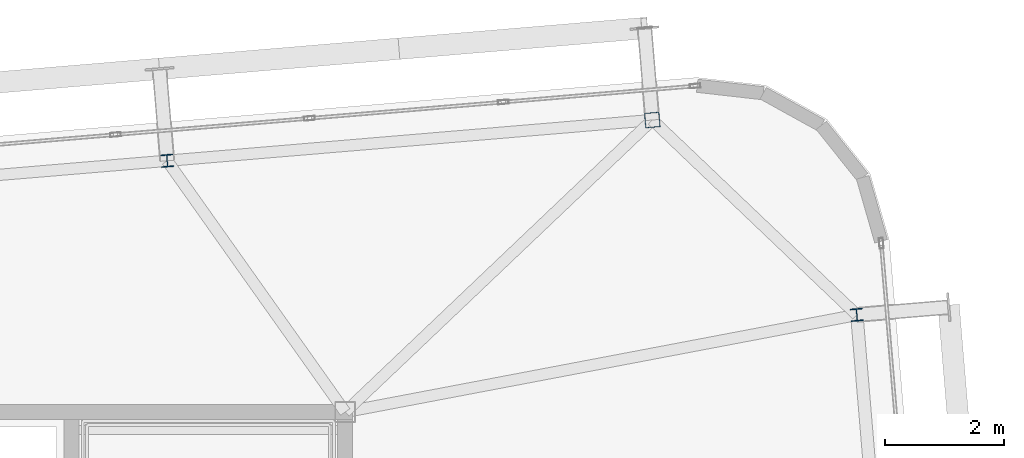
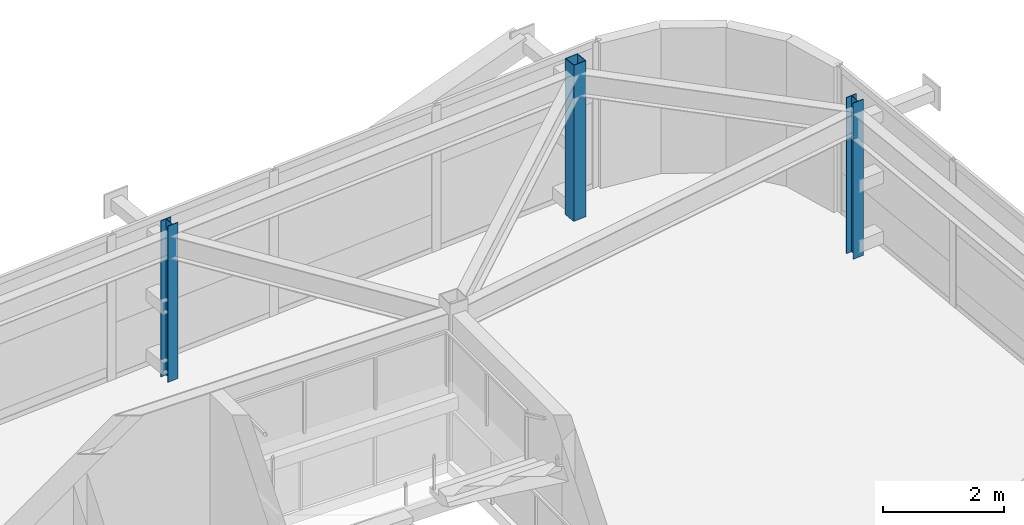
# One storey, part 6 of 44: 3 columns.
"""IFC4 building model written with IfcOpenShell, lengths in metres."""

from ifc_helpers import new_model, si_unit, direction, frame, origin, origin_2d, place, context, subcontext, project, spatial, hollow_rectangle, i_section, extrude, source, transform, mapped, material, material_profile, profile_set, type_object, element, save


model = new_model("IFC4")

# Units and contexts
model_context = context("Model", 3, precision=1e-05, world=origin(), true_north=direction((0.0, 1.0)))
body_context = subcontext(model_context, "Body", "Model", "MODEL_VIEW")
ifc_project = project(units=[si_unit("LENGTHUNIT", "METRE"), si_unit("AREAUNIT", "SQUARE_METRE"), si_unit("VOLUMEUNIT", "CUBIC_METRE"), si_unit("PLANEANGLEUNIT", "RADIAN"), si_unit("MASSUNIT", "GRAM", prefix="KILO")], contexts=[model_context])

# Site, building, storey
site_placement = place(None, origin())
site = spatial("IfcSite", under=ifc_project, at=site_placement, CompositionType="ELEMENT")
building_placement = place(site_placement, origin())
building = spatial("IfcBuilding", under=site, at=building_placement, Name="Taldren Reach Tower", CompositionType="ELEMENT")
storey_placement = place(building_placement, frame((0.0, 0.0, 191.449951171875)))
storey = spatial("IfcBuildingStorey", under=building, at=storey_placement, Name="L58", CompositionType="ELEMENT", Elevation=191.449951171875)

# Columns
ifc_material_1 = material(Name="Steel Gr 350 (C350L0)", Category="steel")
ifc_material_profile_1 = material_profile(ifc_material_1, hollow_rectangle(XDim=0.25, YDim=0.25, WallThickness=0.010009765625, at=origin_2d()), Name="250x250x10.0SHS")
ifc_profile_set_1 = profile_set([ifc_material_profile_1], Name="Steel Gr 350 (C350L0)")
column_type_1 = type_object("IfcColumnType", Name="COL-SHS250", PredefinedType="COLUMN", material=ifc_profile_set_1)
shared_shape_1 = source(origin(), body_context, "Body", "SweptSolid", [
    extrude(hollow_rectangle(XDim=0.25, YDim=0.25, WallThickness=0.010009765625, at=origin_2d()), origin(), (0.0, 0.0, 1.0), 3.150146484375),
])
column_placement = place(storey_placement, frame((56.160400390625, 36.906005859375, 0.0), z_axis=(0.0, 0.0, 1.0), x_axis=(0.99649285925, 0.083677843332, 0.0)))
element("IfcColumn", 1, at=column_placement, inside=storey, type_object=column_type_1, Name="Block B4 perimeter column N6 L58", PredefinedType="COLUMN", context=body_context, shape_type="MappedRepresentation", body=[
    mapped(shared_shape_1, transform((0.0, 0.0, 0.0), scale=1.0)),
])
ifc_material_2 = material(Name="Steel Gr 350 (350PLUS)", Category="steel")
ifc_material_profile_2 = material_profile(ifc_material_2, i_section(OverallWidth=0.205078125, OverallDepth=0.2099609375, WebThickness=0.00927734375, FlangeThickness=0.01416015625, at=origin_2d()), Name="200UC59.5")
ifc_profile_set_2 = profile_set([ifc_material_profile_2], Name="Steel Gr 350 (350PLUS)")
column_type_2 = type_object("IfcColumnType", Name="COL-UC200", PredefinedType="COLUMN", material=ifc_profile_set_2)
shared_shape_2 = source(origin(), body_context, "Body", "SweptSolid", [
    extrude(i_section(OverallWidth=0.205078125, OverallDepth=0.2099609375, WebThickness=0.00927734375, FlangeThickness=0.01416015625, at=origin_2d()), origin(), (0.0, 0.0, 1.0), 3.150146484375),
])
for number, where, z_axis, x_axis, name in (
    (2, (48.009033203125, 36.221435546875, 0.0), (0.0, 0.0, 1.0), (0.99649285925, 0.083677843332, 0.0), "Block B4 perimeter column N5 L58"),
    (3, (59.596435546875, 33.632080078125, 0.0), (0.0, 0.0, 1.0), (0.99649285925, 0.083677843332, 0.0), "Block B4 perimeter column E3 L58"),
):
    element("IfcColumn", number, at=place(storey_placement, frame(where, z_axis=z_axis, x_axis=x_axis)), inside=storey, type_object=column_type_2, Name=name, PredefinedType="COLUMN", context=body_context, shape_type="MappedRepresentation", body=[
        mapped(shared_shape_2, transform((0.0, 0.0, 0.0), scale=1.0)),
    ])

save(model, "model.ifc")
